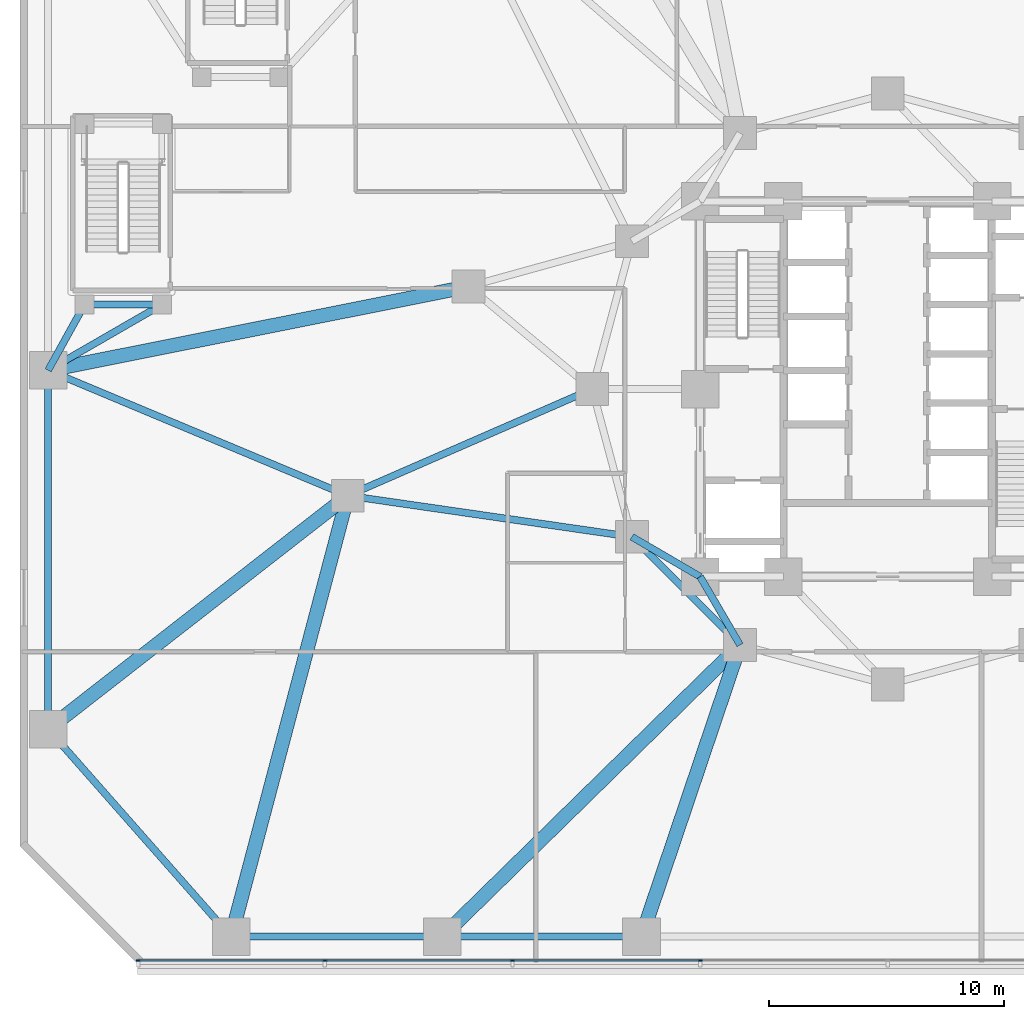
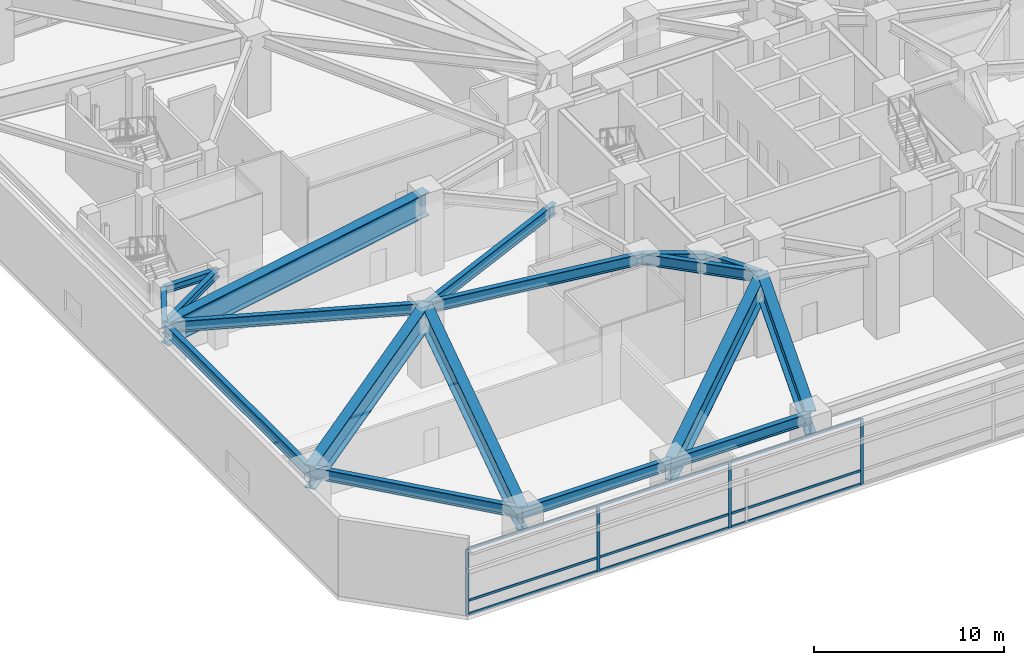
# One storey, part 5 of 28: 18 beams, 13 members, 1 element without a shape of its own.
"""IFC4 building model written with IfcOpenShell, lengths in metres."""

from ifc_helpers import new_model, si_unit, direction, frame, origin, origin_2d, place, context, subcontext, project, spatial, rectangle, i_section, extrude, material, layer, layer_set, material_profile, profile_set, type_object, element, aggregate, save


model = new_model("IFC4")

# Units and contexts
model_context = context("Model", 3, precision=1e-05, world=origin(), true_north=direction((0.0, 1.0)))
body_context = subcontext(model_context, "Body", "Model", "MODEL_VIEW")
ifc_project = project(units=[si_unit("LENGTHUNIT", "METRE"), si_unit("AREAUNIT", "SQUARE_METRE"), si_unit("VOLUMEUNIT", "CUBIC_METRE"), si_unit("PLANEANGLEUNIT", "RADIAN"), si_unit("MASSUNIT", "GRAM", prefix="KILO")], contexts=[model_context])

# Site, building, storey
site_placement = place(None, origin())
site = spatial("IfcSite", under=ifc_project, at=site_placement, CompositionType="ELEMENT")
building_placement = place(site_placement, origin())
building = spatial("IfcBuilding", under=site, at=building_placement, Name="Terralouvre Media Tower", CompositionType="ELEMENT")
storey_placement = place(building_placement, frame((0.0, 0.0, 10.39990234375)))
storey = spatial("IfcBuildingStorey", under=building, at=storey_placement, Name="L02", CompositionType="ELEMENT", Elevation=10.39990234375)

# Curtain wall, members
ifc_material_1 = material(Name="Low-iron laminated double glazing with solar-control coating", Category="glass")
ifc_layer = layer(ifc_material_1, 0.1650390625, Name="Podium Broadcast Gallery Glazing CW-01")
ifc_layer_set = layer_set([ifc_layer], Name="Low-iron laminated double glazing with solar-control coating")
curtain_wall_type = type_object("IfcCurtainWallType", Name="Podium Broadcast Gallery Glazing CW-01", PredefinedType="NOTDEFINED", material=ifc_layer_set)
curtain_wall_placement = place(storey_placement, origin())
curtain_wall = element("IfcCurtainWall", 1, at=curtain_wall_placement, inside=storey, type_object=curtain_wall_type, Name="L02 Podium Curtain Wall F0", PredefinedType="NOTDEFINED")
ifc_material_2 = material(Name="Anodised extruded aluminium 6063-T6", Category="aluminium")
ifc_material_profile_1 = material_profile(ifc_material_2, rectangle(XDim=0.074951171875, YDim=0.14990234375, at=origin_2d()), Name="ALU 75x150")
ifc_profile_set_1 = profile_set([ifc_material_profile_1], Name="Anodised extruded aluminium 6063-T6")
member_type_1 = type_object("IfcMemberType", Name="Curtain-Wall Horizontal Transom TR-150", PredefinedType="USERDEFINED", material=ifc_profile_set_1)
member_1_placement = place(storey_placement, frame((-31.925048828125, -24.360107421875, 0.03759765625), z_axis=(1.0, 0.0, 0.0), x_axis=(0.0, 1.0, 0.0)))
member_1 = element("IfcMember", 2, at=member_1_placement, type_object=member_type_1, Name="CW-01 transom 1.1", ObjectType="TRANSOM", PredefinedType="USERDEFINED", context=body_context, shape_type="SweptSolid", body=[
    extrude(rectangle(XDim=0.074951171875, YDim=0.14990234375, at=origin_2d()), origin(), (0.0, 0.0, 1.0), 7.887451171875),
])
member_2_placement = place(storey_placement, frame((-31.925048828125, -24.360107421875, 0.900146484375), z_axis=(1.0, 0.0, 0.0), x_axis=(0.0, 1.0, 0.0)))
member_2 = element("IfcMember", 3, at=member_2_placement, type_object=member_type_1, Name="CW-01 transom 1.2", ObjectType="TRANSOM", PredefinedType="USERDEFINED", context=body_context, shape_type="SweptSolid", body=[
    extrude(rectangle(XDim=0.074951171875, YDim=0.14990234375, at=origin_2d()), origin(), (0.0, 0.0, 1.0), 7.887451171875),
])
member_3_placement = place(storey_placement, frame((-31.925048828125, -24.360107421875, 4.192626953125), z_axis=(1.0, 0.0, 0.0), x_axis=(0.0, 1.0, 0.0)))
member_3 = element("IfcMember", 4, at=member_3_placement, type_object=member_type_1, Name="CW-01 transom 1.3", ObjectType="TRANSOM", PredefinedType="USERDEFINED", context=body_context, shape_type="SweptSolid", body=[
    extrude(rectangle(XDim=0.074951171875, YDim=0.14990234375, at=origin_2d()), origin(), (0.0, 0.0, 1.0), 7.887451171875),
])
member_4_placement = place(storey_placement, frame((-23.96240234375, -24.360107421875, 0.03759765625), z_axis=(1.0, 0.0, 0.0), x_axis=(0.0, 1.0, 0.0)))
member_4 = element("IfcMember", 5, at=member_4_placement, type_object=member_type_1, Name="CW-01 transom 2.1", ObjectType="TRANSOM", PredefinedType="USERDEFINED", context=body_context, shape_type="SweptSolid", body=[
    extrude(rectangle(XDim=0.074951171875, YDim=0.14990234375, at=origin_2d()), origin(), (0.0, 0.0, 1.0), 7.9248046875),
])
member_5_placement = place(storey_placement, frame((-23.96240234375, -24.360107421875, 0.900146484375), z_axis=(1.0, 0.0, 0.0), x_axis=(0.0, 1.0, 0.0)))
member_5 = element("IfcMember", 6, at=member_5_placement, type_object=member_type_1, Name="CW-01 transom 2.2", ObjectType="TRANSOM", PredefinedType="USERDEFINED", context=body_context, shape_type="SweptSolid", body=[
    extrude(rectangle(XDim=0.074951171875, YDim=0.14990234375, at=origin_2d()), origin(), (0.0, 0.0, 1.0), 7.9248046875),
])
member_6_placement = place(storey_placement, frame((-23.96240234375, -24.360107421875, 4.192626953125), z_axis=(1.0, 0.0, 0.0), x_axis=(0.0, 1.0, 0.0)))
member_6 = element("IfcMember", 7, at=member_6_placement, type_object=member_type_1, Name="CW-01 transom 2.3", ObjectType="TRANSOM", PredefinedType="USERDEFINED", context=body_context, shape_type="SweptSolid", body=[
    extrude(rectangle(XDim=0.074951171875, YDim=0.14990234375, at=origin_2d()), origin(), (0.0, 0.0, 1.0), 7.9248046875),
])
member_7_placement = place(storey_placement, frame((-15.96240234375, -24.360107421875, 0.03759765625), z_axis=(1.0, 0.0, 0.0), x_axis=(0.0, 1.0, 0.0)))
member_7 = element("IfcMember", 8, at=member_7_placement, type_object=member_type_1, Name="CW-01 transom 3.1", ObjectType="TRANSOM", PredefinedType="USERDEFINED", context=body_context, shape_type="SweptSolid", body=[
    extrude(rectangle(XDim=0.074951171875, YDim=0.14990234375, at=origin_2d()), origin(), (0.0, 0.0, 1.0), 7.9248046875),
])
member_8_placement = place(storey_placement, frame((-15.96240234375, -24.360107421875, 0.900146484375), z_axis=(1.0, 0.0, 0.0), x_axis=(0.0, 1.0, 0.0)))
member_8 = element("IfcMember", 9, at=member_8_placement, type_object=member_type_1, Name="CW-01 transom 3.2", ObjectType="TRANSOM", PredefinedType="USERDEFINED", context=body_context, shape_type="SweptSolid", body=[
    extrude(rectangle(XDim=0.074951171875, YDim=0.14990234375, at=origin_2d()), origin(), (0.0, 0.0, 1.0), 7.9248046875),
])
member_9_placement = place(storey_placement, frame((-15.96240234375, -24.360107421875, 4.192626953125), z_axis=(1.0, 0.0, 0.0), x_axis=(0.0, 1.0, 0.0)))
member_9 = element("IfcMember", 10, at=member_9_placement, type_object=member_type_1, Name="CW-01 transom 3.3", ObjectType="TRANSOM", PredefinedType="USERDEFINED", context=body_context, shape_type="SweptSolid", body=[
    extrude(rectangle(XDim=0.074951171875, YDim=0.14990234375, at=origin_2d()), origin(), (0.0, 0.0, 1.0), 7.9248046875),
])
ifc_material_3 = material(Name="Anodised extruded aluminium 6063-T6", Category="aluminium")
ifc_material_profile_2 = material_profile(ifc_material_3, rectangle(XDim=0.074951171875, YDim=0.179931640625, at=origin_2d()), Name="ALU 75x180")
ifc_profile_set_2 = profile_set([ifc_material_profile_2], Name="Anodised extruded aluminium 6063-T6")
member_type_2 = type_object("IfcMemberType", Name="Curtain-Wall Vertical Mullion ML-180", PredefinedType="MULLION", material=ifc_profile_set_2)
member_10_placement = place(storey_placement, frame((-31.96240234375, -24.360107421875, 0.0), z_axis=(0.0, 0.0, 1.0), x_axis=(0.0, 1.0, 0.0)))
member_10 = element("IfcMember", 11, at=member_10_placement, type_object=member_type_2, Name="CW-01 mullion 1", PredefinedType="MULLION", context=body_context, shape_type="SweptSolid", body=[
    extrude(rectangle(XDim=0.074951171875, YDim=0.179931640625, at=origin_2d()), origin(), (0.0, 0.0, 1.0), 4.22998046875),
])
member_11_placement = place(storey_placement, frame((-24.0, -24.360107421875, 0.0), z_axis=(0.0, 0.0, 1.0), x_axis=(0.0, 1.0, 0.0)))
member_11 = element("IfcMember", 12, at=member_11_placement, type_object=member_type_2, Name="CW-01 mullion 2", PredefinedType="MULLION", context=body_context, shape_type="SweptSolid", body=[
    extrude(rectangle(XDim=0.074951171875, YDim=0.179931640625, at=origin_2d()), origin(), (0.0, 0.0, 1.0), 4.22998046875),
])
member_12_placement = place(storey_placement, frame((-16.0, -24.360107421875, 0.0), z_axis=(0.0, 0.0, 1.0), x_axis=(0.0, 1.0, 0.0)))
member_12 = element("IfcMember", 13, at=member_12_placement, type_object=member_type_2, Name="CW-01 mullion 3", PredefinedType="MULLION", context=body_context, shape_type="SweptSolid", body=[
    extrude(rectangle(XDim=0.074951171875, YDim=0.179931640625, at=origin_2d()), origin(), (0.0, 0.0, 1.0), 4.22998046875),
])
member_13_placement = place(storey_placement, frame((-8.0, -24.360107421875, 0.0), z_axis=(0.0, 0.0, 1.0), x_axis=(0.0, 1.0, 0.0)))
member_13 = element("IfcMember", 14, at=member_13_placement, type_object=member_type_2, Name="CW-01 mullion 4", PredefinedType="MULLION", context=body_context, shape_type="SweptSolid", body=[
    extrude(rectangle(XDim=0.074951171875, YDim=0.179931640625, at=origin_2d()), origin(), (0.0, 0.0, 1.0), 4.22998046875),
])
aggregate(curtain_wall, [member_10, member_11, member_12, member_13, member_1, member_2, member_3, member_4, member_5, member_6, member_7, member_8, member_9])

# Beams
ifc_material_4 = material(Name="Structural steel S355J2", Category="steel")
ifc_material_profile_3 = material_profile(ifc_material_4, i_section(OverallWidth=0.300048828125, OverallDepth=0.449951171875, WebThickness=0.013916015625, FlangeThickness=0.02587890625, at=origin_2d()), Name="HEB 450")
ifc_profile_set_3 = profile_set([ifc_material_profile_3], Name="Structural steel S355J2")
beam_type_1 = type_object("IfcBeamType", Name="Primary Floor Girder B-HEB450 (HEB 450)", PredefinedType="BEAM", material=ifc_profile_set_3)
beam_1_placement = place(storey_placement, frame((-34.25, 3.60009765625, 4.72509765625), z_axis=(1.0, 0.0, 0.0), x_axis=(0.0, 1.0, 0.0)))
element("IfcBeam", 15, at=beam_1_placement, inside=storey, type_object=beam_type_1, Name="L02 Framing Beam BM-L02-PVST31", PredefinedType="BEAM", context=body_context, shape_type="SweptSolid", body=[
    extrude(i_section(OverallWidth=0.300048828125, OverallDepth=0.449951171875, WebThickness=0.013916015625, FlangeThickness=0.02587890625, at=origin_2d()), origin(), (0.0, 0.0, 1.0), 3.300048828125),
])
ifc_material_5 = material(Name="Structural steel S355J2", Category="steel")
ifc_material_profile_4 = material_profile(ifc_material_5, i_section(OverallWidth=0.300048828125, OverallDepth=0.5, WebThickness=0.014404296875, FlangeThickness=0.028076171875, at=origin_2d()), Name="HEB 500")
ifc_profile_set_4 = profile_set([ifc_material_profile_4], Name="Structural steel S355J2")
beam_type_2 = type_object("IfcBeamType", Name="Primary Floor Girder B-HEB500 (HEB 500)", PredefinedType="BEAM", material=ifc_profile_set_4)
beam_2_placement = place(storey_placement, frame((-34.25, 3.60009765625, 4.7001953125), z_axis=(-0.484321096397, -0.874890322032, 0.0), x_axis=(0.874890322032, -0.484321096397, 0.0)))
element("IfcBeam", 16, at=beam_2_placement, inside=storey, type_object=beam_type_2, Name="L02 Framing Beam BM-L02-PVTST31", PredefinedType="BEAM", context=body_context, shape_type="SweptSolid", body=[
    extrude(i_section(OverallWidth=0.300048828125, OverallDepth=0.5, WebThickness=0.014404296875, FlangeThickness=0.028076171875, at=origin_2d()), origin(), (0.0, 0.0, 1.0), 3.200439453125),
])
beam_3_placement = place(storey_placement, frame((-30.949951171875, 3.60009765625, 4.7001953125), z_axis=(-0.866037493094, -0.499979060117, 0.0), x_axis=(0.499979060117, -0.866037493094, 0.0)))
element("IfcBeam", 17, at=beam_3_placement, inside=storey, type_object=beam_type_2, Name="L02 Framing Beam BM-L02-PVTST32", PredefinedType="BEAM", context=body_context, shape_type="SweptSolid", body=[
    extrude(i_section(OverallWidth=0.300048828125, OverallDepth=0.5, WebThickness=0.014404296875, FlangeThickness=0.028076171875, at=origin_2d()), origin(), (0.0, 0.0, 1.0), 5.600341796875),
])
ifc_material_6 = material(Name="Structural steel S460M", Category="steel")
ifc_material_profile_5 = material_profile(ifc_material_6, i_section(OverallWidth=0.300048828125, OverallDepth=0.699951171875, WebThickness=0.01708984375, FlangeThickness=0.031982421875, at=origin_2d()), Name="HEB 700")
ifc_profile_set_5 = profile_set([ifc_material_profile_5], Name="Structural steel S460M")
beam_type_3 = type_object("IfcBeamType", Name="Primary Floor Girder B-HEB700 (HEB 700)", PredefinedType="BEAM", material=ifc_profile_set_5)
beam_4_placement = place(storey_placement, frame((-10.911865234375, -6.300048828125, 4.60009765625), z_axis=(0.707106781187, -0.707106781187, 0.0), x_axis=(0.707106781187, 0.707106781187, 0.0)))
element("IfcBeam", 18, at=beam_4_placement, inside=storey, type_object=beam_type_3, Name="L02 Framing Beam BM-L02-MR01", PredefinedType="BEAM", context=body_context, shape_type="SweptSolid", body=[
    extrude(i_section(OverallWidth=0.300048828125, OverallDepth=0.699951171875, WebThickness=0.01708984375, FlangeThickness=0.031982421875, at=origin_2d()), origin(), (0.0, 0.0, 1.0), 6.52197265625),
])
for number, where, z_axis, x_axis, name in (
    (19, (-8.0, -8.0, 4.60009765625), (-0.863602894532, 0.504172629717, 0.0), (-0.504172629717, -0.863602894532, 0.0), "L02 Framing Beam BM-L02-CM01"),
    (20, (-8.0, -8.0, 4.60009765625), (0.504172629717, -0.863602894532, 0.0), (0.863602894532, 0.504172629717, 0.0), "L02 Framing Beam BM-L02-CM02"),
):
    element("IfcBeam", number, at=place(storey_placement, frame(where, z_axis=z_axis, x_axis=x_axis)), inside=storey, type_object=beam_type_3, Name=name, PredefinedType="BEAM", context=body_context, shape_type="SweptSolid", body=[
        extrude(i_section(OverallWidth=0.300048828125, OverallDepth=0.699951171875, WebThickness=0.01708984375, FlangeThickness=0.031982421875, at=origin_2d()), origin(), (0.0, 0.0, 1.0), 3.371826171875),
    ])
beam_5_placement = place(storey_placement, frame((-12.60009765625, 0.0, 4.60009765625), z_axis=(-0.916615903868, -0.399769039291, 0.0), x_axis=(0.399769039291, -0.916615903868, 0.0)))
element("IfcBeam", 21, at=beam_5_placement, inside=storey, type_object=beam_type_3, Name="L02 Framing Beam BM-L02-PM24M1", PredefinedType="BEAM", context=body_context, shape_type="SweptSolid", body=[
    extrude(i_section(OverallWidth=0.300048828125, OverallDepth=0.699951171875, WebThickness=0.01708984375, FlangeThickness=0.031982421875, at=origin_2d()), origin(), (0.0, 0.0, 1.0), 11.373046875),
])
beam_6_placement = place(storey_placement, frame((-10.911865234375, -6.300048828125, 4.60009765625), z_axis=(-0.989684877742, 0.143261448996, 0.0), x_axis=(-0.143261448996, -0.989684877742, 0.0)))
element("IfcBeam", 22, at=beam_6_placement, inside=storey, type_object=beam_type_3, Name="L02 Framing Beam BM-L02-PM24M2", PredefinedType="BEAM", context=body_context, shape_type="SweptSolid", body=[
    extrude(i_section(OverallWidth=0.300048828125, OverallDepth=0.699951171875, WebThickness=0.01708984375, FlangeThickness=0.031982421875, at=origin_2d()), origin(), (0.0, 0.0, 1.0), 12.2392578125),
])
beam_7_placement = place(storey_placement, frame((-23.02490234375, -4.546630859375, 4.60009765625), z_axis=(-0.922468147364, 0.386073201737, 0.0), x_axis=(-0.386073201737, -0.922468147364, 0.0)))
element("IfcBeam", 23, at=beam_7_placement, inside=storey, type_object=beam_type_3, Name="L02 Framing Beam BM-L02-PM24P1", PredefinedType="BEAM", context=body_context, shape_type="SweptSolid", body=[
    extrude(i_section(OverallWidth=0.300048828125, OverallDepth=0.699951171875, WebThickness=0.01708984375, FlangeThickness=0.031982421875, at=origin_2d()), origin(), (0.0, 0.0, 1.0), 13.848876953125),
])
beam_8_placement = place(storey_placement, frame((-35.800048828125, -14.5, 4.60009765625), z_axis=(0.661199207896, -0.75021037548, 0.0), x_axis=(0.75021037548, 0.661199207896, 0.0)))
element("IfcBeam", 24, at=beam_8_placement, inside=storey, type_object=beam_type_3, Name="L02 Framing Beam BM-L02-PR01", PredefinedType="BEAM", context=body_context, shape_type="SweptSolid", body=[
    extrude(i_section(OverallWidth=0.300048828125, OverallDepth=0.699951171875, WebThickness=0.01708984375, FlangeThickness=0.031982421875, at=origin_2d()), origin(), (0.0, 0.0, 1.0), 11.796875),
])
beam_9_placement = place(storey_placement, frame((-28.0, -23.35009765625, 4.60009765625), z_axis=(1.0, 0.0, 0.0), x_axis=(0.0, 1.0, 0.0)))
element("IfcBeam", 25, at=beam_9_placement, inside=storey, type_object=beam_type_3, Name="L02 Framing Beam BM-L02-PR02", PredefinedType="BEAM", context=body_context, shape_type="SweptSolid", body=[
    extrude(i_section(OverallWidth=0.300048828125, OverallDepth=0.699951171875, WebThickness=0.01708984375, FlangeThickness=0.031982421875, at=origin_2d()), origin(), (0.0, 0.0, 1.0), 9.0),
])
beam_10_placement = place(storey_placement, frame((-19.0, -23.35009765625, 4.60009765625), z_axis=(1.0, 0.0, 0.0), x_axis=(0.0, 1.0, 0.0)))
element("IfcBeam", 26, at=beam_10_placement, inside=storey, type_object=beam_type_3, Name="L02 Framing Beam BM-L02-PR03", PredefinedType="BEAM", context=body_context, shape_type="SweptSolid", body=[
    extrude(i_section(OverallWidth=0.300048828125, OverallDepth=0.699951171875, WebThickness=0.01708984375, FlangeThickness=0.031982421875, at=origin_2d()), origin(), (0.0, 0.0, 1.0), 8.5),
])
beam_11_placement = place(storey_placement, frame((-35.800048828125, 0.800048828125, 4.60009765625), z_axis=(0.0, -1.0, 0.0), x_axis=(1.0, 0.0, 0.0)))
element("IfcBeam", 27, at=beam_11_placement, inside=storey, type_object=beam_type_3, Name="L02 Framing Beam BM-L02-PR18", PredefinedType="BEAM", context=body_context, shape_type="SweptSolid", body=[
    extrude(i_section(OverallWidth=0.300048828125, OverallDepth=0.699951171875, WebThickness=0.01708984375, FlangeThickness=0.031982421875, at=origin_2d()), origin(), (0.0, 0.0, 1.0), 15.300048828125),
])
ifc_material_7 = material(Name="Structural steel S460M", Category="steel")
ifc_material_profile_6 = material_profile(ifc_material_7, i_section(OverallWidth=0.60009765625, OverallDepth=1.5, WebThickness=0.033935546875, FlangeThickness=0.054931640625, at=origin_2d()), Name="PG 1500x600")
ifc_profile_set_6 = profile_set([ifc_material_profile_6], Name="Structural steel S460M")
beam_type_4 = type_object("IfcBeamType", Name="Primary Floor Girder B-PG1500 (PG 1500x600)", PredefinedType="BEAM", material=ifc_profile_set_6)
beam_12_placement = place(storey_placement, frame((-23.02490234375, -4.546630859375, 4.2001953125), z_axis=(-0.788838921833, -0.614599996259, 0.0), x_axis=(0.614599996259, -0.788838921833, 0.0)))
element("IfcBeam", 28, at=beam_12_placement, inside=storey, type_object=beam_type_4, Name="L02 Framing Beam BM-L02-RD01", PredefinedType="BEAM", context=body_context, shape_type="SweptSolid", body=[
    extrude(i_section(OverallWidth=0.60009765625, OverallDepth=1.5, WebThickness=0.033935546875, FlangeThickness=0.054931640625, at=origin_2d()), origin(), (0.0, 0.0, 1.0), 16.19482421875),
])
beam_13_placement = place(storey_placement, frame((-23.02490234375, -4.546630859375, 4.2001953125), z_axis=(-0.25578250381, -0.966734353762, 0.0), x_axis=(0.966734353762, -0.25578250381, 0.0)))
element("IfcBeam", 29, at=beam_13_placement, inside=storey, type_object=beam_type_4, Name="L02 Framing Beam BM-L02-RD02", PredefinedType="BEAM", context=body_context, shape_type="SweptSolid", body=[
    extrude(i_section(OverallWidth=0.60009765625, OverallDepth=1.5, WebThickness=0.033935546875, FlangeThickness=0.054931640625, at=origin_2d()), origin(), (0.0, 0.0, 1.0), 19.450439453125),
])
beam_14_placement = place(storey_placement, frame((-6.300048828125, -10.911865234375, 4.2001953125), z_axis=(-0.714429895313, -0.69970702775, 0.0), x_axis=(0.69970702775, -0.714429895313, 0.0)))
element("IfcBeam", 30, at=beam_14_placement, inside=storey, type_object=beam_type_4, Name="L02 Framing Beam BM-L02-RD03", PredefinedType="BEAM", context=body_context, shape_type="SweptSolid", body=[
    extrude(i_section(OverallWidth=0.60009765625, OverallDepth=1.5, WebThickness=0.033935546875, FlangeThickness=0.054931640625, at=origin_2d()), origin(), (0.0, 0.0, 1.0), 17.7763671875),
])
beam_15_placement = place(storey_placement, frame((-6.300048828125, -10.911865234375, 4.2001953125), z_axis=(-0.319918670086, -0.947445008711, 0.0), x_axis=(0.947445008711, -0.319918670086, 0.0)))
element("IfcBeam", 31, at=beam_15_placement, inside=storey, type_object=beam_type_4, Name="L02 Framing Beam BM-L02-RD04", PredefinedType="BEAM", context=body_context, shape_type="SweptSolid", body=[
    extrude(i_section(OverallWidth=0.60009765625, OverallDepth=1.5, WebThickness=0.033935546875, FlangeThickness=0.054931640625, at=origin_2d()), origin(), (0.0, 0.0, 1.0), 13.128173828125),
])
beam_16_placement = place(storey_placement, frame((-17.874755859375, 4.373291015625, 4.2001953125), z_axis=(-0.980704802412, -0.19549447697, 0.0), x_axis=(0.19549447697, -0.980704802412, 0.0)))
element("IfcBeam", 32, at=beam_16_placement, inside=storey, type_object=beam_type_4, Name="L02 Framing Beam BM-L02-RD18", PredefinedType="BEAM", context=body_context, shape_type="SweptSolid", body=[
    extrude(i_section(OverallWidth=0.60009765625, OverallDepth=1.5, WebThickness=0.033935546875, FlangeThickness=0.054931640625, at=origin_2d()), origin(), (0.0, 0.0, 1.0), 18.278076171875),
])

save(model, "model.ifc")
